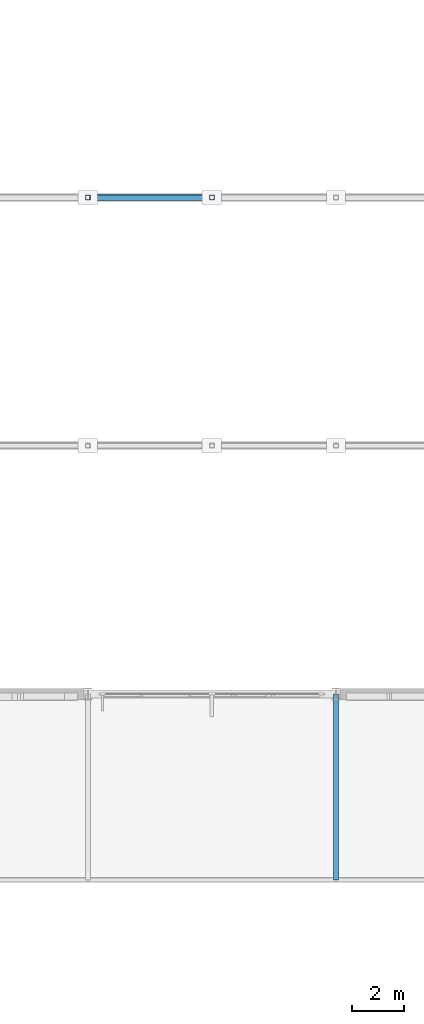
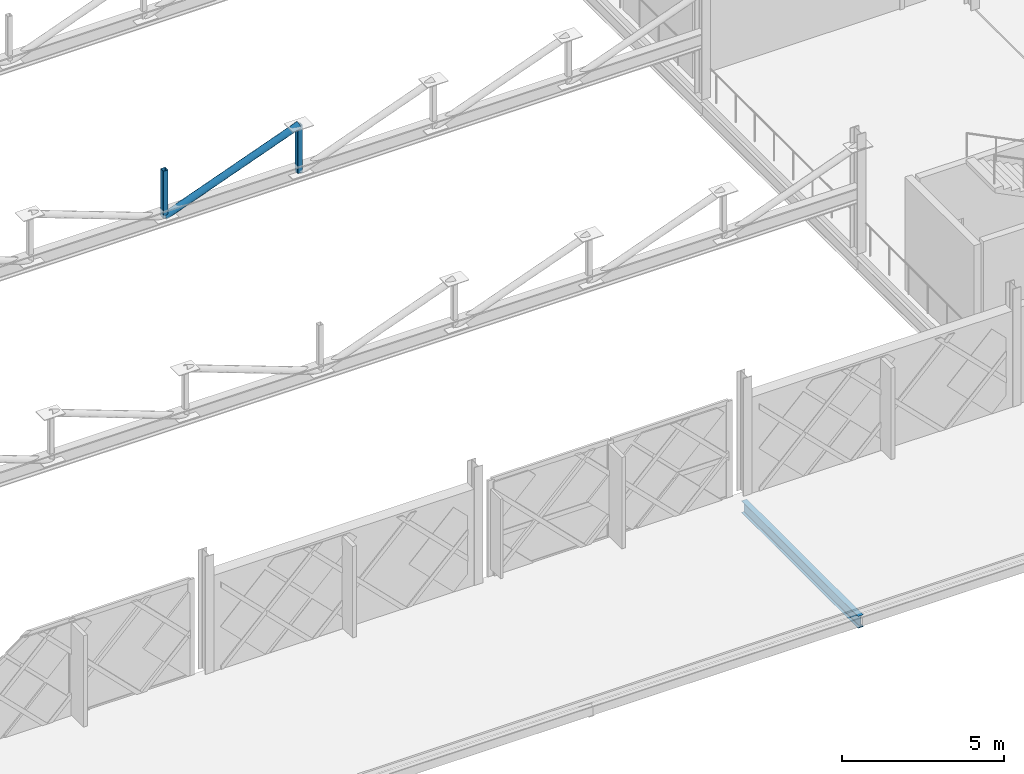
# One storey, part 28 of 101: 3 members, 1 beam.
"""IFC4 building model written with IfcOpenShell, lengths in metres."""

from ifc_helpers import new_model, si_unit, direction, frame, origin, origin_2d, place, context, subcontext, project, spatial, hollow_rectangle, hollow_circle, i_section, extrude, material, material_profile, profile_set, type_object, element, save


model = new_model("IFC4")

# Units and contexts
model_context = context("Model", 3, precision=1e-05, world=origin(), true_north=direction((0.0, 1.0)))
body_context = subcontext(model_context, "Body", "Model", "MODEL_VIEW")
ifc_project = project(units=[si_unit("LENGTHUNIT", "METRE"), si_unit("AREAUNIT", "SQUARE_METRE"), si_unit("VOLUMEUNIT", "CUBIC_METRE"), si_unit("PLANEANGLEUNIT", "RADIAN"), si_unit("MASSUNIT", "GRAM", prefix="KILO")], contexts=[model_context])

# Site, building, storey
site_placement = place(None, origin())
site = spatial("IfcSite", under=ifc_project, at=site_placement, CompositionType="ELEMENT")
building_placement = place(site_placement, origin())
building = spatial("IfcBuilding", under=site, at=building_placement, Name="Zevrakil Square Congress Hotel", CompositionType="ELEMENT")
storey_placement = place(building_placement, frame((0.0, 0.0, 5.39990234375)))
storey = spatial("IfcBuildingStorey", under=building, at=storey_placement, Name="L02", CompositionType="ELEMENT", Elevation=5.39990234375)

# Beam
ifc_material_1 = material(Name="Steel S355", Category="steel")
ifc_material_profile_1 = material_profile(ifc_material_1, i_section(OverallWidth=0.18994140625, OverallDepth=0.449951171875, WebThickness=0.009521484375, FlangeThickness=0.0146484375, FilletRadius=0.02099609375, at=origin_2d()), Name="IPE 450")
ifc_profile_set_1 = profile_set([ifc_material_profile_1], Name="Steel S355")
beam_type = type_object("IfcBeamType", Name="BM-IPE450", PredefinedType="BEAM", material=ifc_profile_set_1)
beam_placement = place(storey_placement, frame((36.0, 0.0, -0.48486328125), z_axis=(0.0, 1.0, 0.0), x_axis=(-1.0, 0.0, 0.0)))
element("IfcBeam", 1, at=beam_placement, inside=storey, type_object=beam_type, Name="L02 primary girder BY-0841", PredefinedType="BEAM", context=body_context, shape_type="SweptSolid", body=[
    extrude(i_section(OverallWidth=0.18994140625, OverallDepth=0.449951171875, WebThickness=0.009521484375, FlangeThickness=0.0146484375, FilletRadius=0.02099609375, at=origin_2d()), origin(), (0.0, 0.0, 1.0), 7.199951171875),
])

# Members
ifc_material_2 = material(Name="Steel S355", Category="steel")
ifc_material_profile_2 = material_profile(ifc_material_2, hollow_circle(Radius=0.122314453125, WallThickness=0.012451171875, at=origin_2d()), Name="CHS 244.5x12.5")
ifc_profile_set_2 = profile_set([ifc_material_profile_2], Name="Steel S355")
member_type_1 = type_object("IfcMemberType", Name="MEM-BRACE-CHS244", PredefinedType="BRACE", material=ifc_profile_set_2)
member_placement = place(storey_placement, frame((26.39990234375, 26.39990234375, 2.150146484375), z_axis=(0.937932774607, 0.0, 0.346817113646), x_axis=(0.0, 1.0, 0.0)))
element("IfcMember", 2, at=member_placement, inside=storey, type_object=member_type_1, Name="Ballroom Pratt truss diagonal BTD-24", PredefinedType="BRACE", context=body_context, shape_type="SweptSolid", body=[
    extrude(hollow_circle(Radius=0.122314453125, WallThickness=0.012451171875, at=origin_2d()), origin(), (0.0, 0.0, 1.0), 5.11767578125),
])
ifc_material_3 = material(Name="Steel S355", Category="steel")
ifc_material_profile_3 = material_profile(ifc_material_3, hollow_rectangle(XDim=0.179931640625, YDim=0.179931640625, WallThickness=0.010009765625, InnerFilletRadius=0.010009765625, OuterFilletRadius=0.02001953125, at=origin_2d()), Name="SHS 180x180x10")
ifc_profile_set_3 = profile_set([ifc_material_profile_3], Name="Steel S355")
member_type_2 = type_object("IfcMemberType", Name="MEM-BRACE-SHS180", PredefinedType="BRACE", material=ifc_profile_set_3)
for number, where, z_axis, x_axis, name in (
    (3, (26.39990234375, 26.39990234375, 2.150146484375), (0.0, 0.0, 1.0), (1.0, 0.0, 0.0), "Ballroom Pratt truss vertical BTV-24"),
    (4, (31.199951171875, 26.39990234375, 2.150146484375), (0.0, 0.0, 1.0), (1.0, 0.0, 0.0), "Ballroom Pratt truss vertical BTV-25"),
):
    element("IfcMember", number, at=place(storey_placement, frame(where, z_axis=z_axis, x_axis=x_axis)), inside=storey, type_object=member_type_2, Name=name, PredefinedType="BRACE", context=body_context, shape_type="SweptSolid", body=[
        extrude(hollow_rectangle(XDim=0.179931640625, YDim=0.179931640625, WallThickness=0.010009765625, InnerFilletRadius=0.010009765625, OuterFilletRadius=0.02001953125, at=origin_2d()), origin(), (0.0, 0.0, 1.0), 1.77490234375),
    ])

save(model, "model.ifc")
